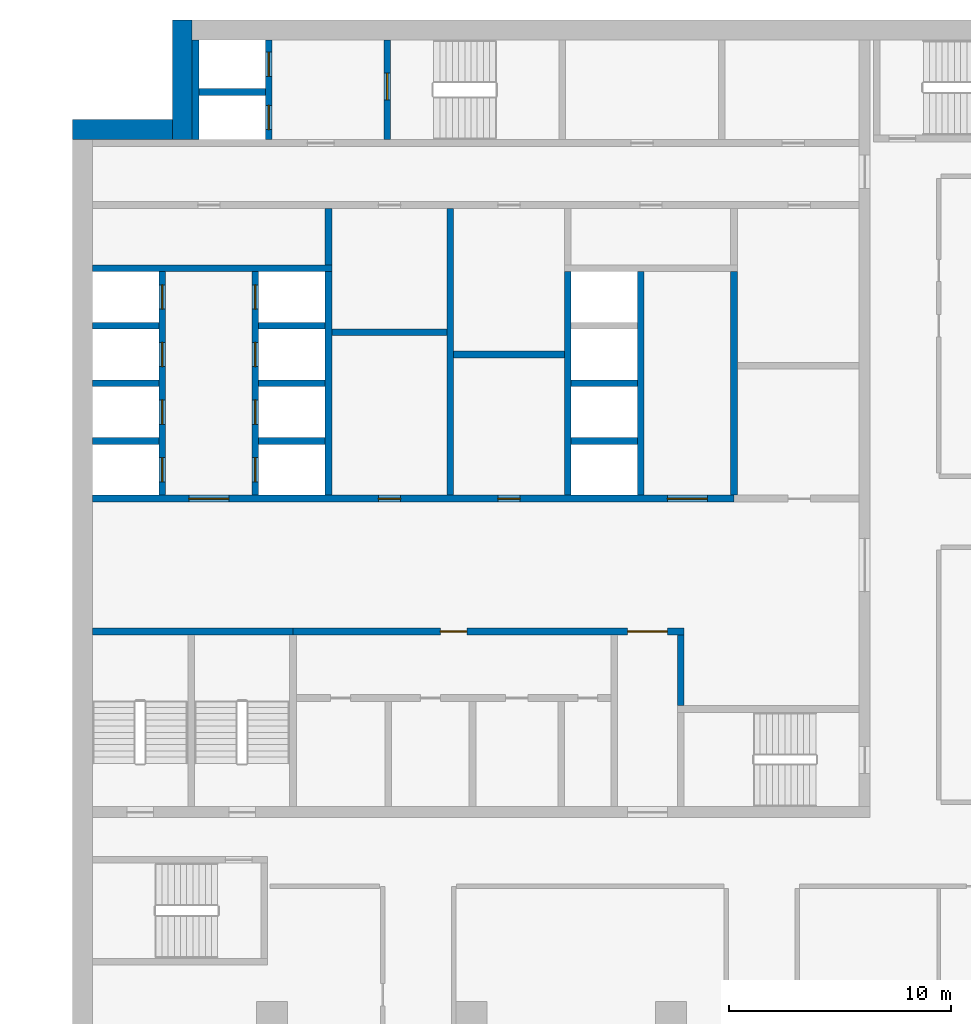
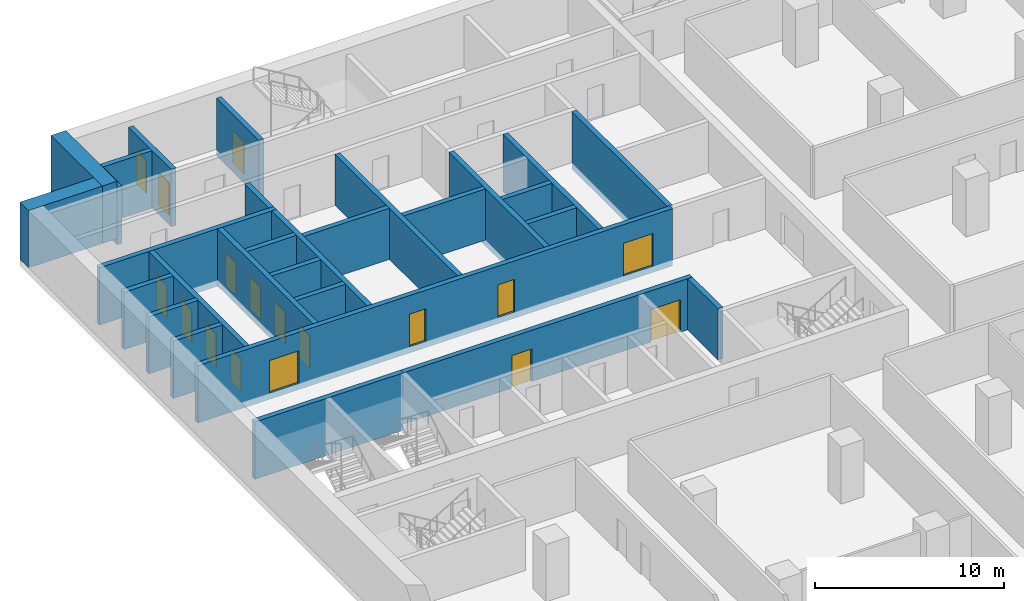
# One storey, part 15 of 29: 29 walls, 17 doors, 17 openings.
"""IFC4 building model written with IfcOpenShell, lengths in metres."""

from ifc_helpers import new_model, si_unit, direction, frame, frame_2d, origin, place, context, subcontext, project, spatial, rectangle, extrude, material, layer, layer_set, type_object, element, fill, save


model = new_model("IFC4")

# Units and contexts
model_context = context("Model", 3, precision=1e-05, world=origin(), true_north=direction((0.0, 1.0)))
body_context = subcontext(model_context, "Body", "Model", "MODEL_VIEW")
ifc_project = project(units=[si_unit("LENGTHUNIT", "METRE"), si_unit("AREAUNIT", "SQUARE_METRE"), si_unit("VOLUMEUNIT", "CUBIC_METRE"), si_unit("PLANEANGLEUNIT", "RADIAN"), si_unit("MASSUNIT", "GRAM", prefix="KILO")], contexts=[model_context])

# Site, building, storey
site_placement = place(None, origin())
site = spatial("IfcSite", under=ifc_project, at=site_placement, CompositionType="ELEMENT")
building_placement = place(site_placement, origin())
building = spatial("IfcBuilding", under=site, at=building_placement, Name="Hunhe Ridgeline Campus", CompositionType="ELEMENT")
storey_placement = place(building_placement, frame((0.0, 0.0, 65.39990234375)))
storey = spatial("IfcBuildingStorey", under=building, at=storey_placement, Name="L15", CompositionType="ELEMENT", Elevation=65.39990234375)

# Wall, openings, doors
ifc_material_1 = material(Name="Masonry concrete blockwork", Category="masonry")
ifc_layer_1 = layer(ifc_material_1, 0.300048828125)
ifc_layer_set_1 = layer_set([ifc_layer_1], Name="Core room partition 300 concrete block")
wall_type_1 = type_object("IfcWallType", Name="Core room partition 300 concrete block", PredefinedType="PARTITIONING", material=ifc_layer_set_1)
wall_1_placement = place(storey_placement, frame((9.949951171875, 71.39990234375, 0.0), z_axis=(0.0, 0.0, 1.0), x_axis=(1.0, 0.0, 0.0)))
wall_1 = element("IfcWall", 1, at=wall_1_placement, inside=storey, type_object=wall_type_1, Name="L15 core partition 13", PredefinedType="PARTITIONING", context=body_context, shape_type="SweptSolid", body=[
    extrude(rectangle(XDim=17.650146484375, YDim=0.300048828125, at=frame_2d((8.8251953125, 0.0))), origin(), (0.0, 0.0, 1.0), 3.300048828125),
])
opening_1_placement = place(wall_1_placement, frame((15.10009765625, 0.0, 0.0)))
opening_1 = element("IfcOpeningElement", 2, at=opening_1_placement, cuts=wall_1, Name="Opening CD7", PredefinedType="OPENING", context=body_context, shape_type="SweptSolid", body=[
    extrude(rectangle(XDim=1.800048828125, YDim=2.10009765625, at=frame_2d((0.89990234375, 1.050048828125))), frame((0.0, 0.14990234375, 0.0), z_axis=(0.0, -1.0, 0.0), x_axis=(1.0, 0.0, 0.0)), (0.0, 0.0, 1.0), 0.300048828125),
])
opening_2_placement = place(wall_1_placement, frame((6.64990234375, 0.0, 0.0)))
opening_2 = element("IfcOpeningElement", 3, at=opening_2_placement, cuts=wall_1, Name="Opening CD37", PredefinedType="OPENING", context=body_context, shape_type="SweptSolid", body=[
    extrude(rectangle(XDim=1.199951171875, YDim=2.10009765625, at=frame_2d((0.60009765625, 1.050048828125))), frame((0.0, 0.14990234375, 0.0), z_axis=(0.0, -1.0, 0.0), x_axis=(1.0, 0.0, 0.0)), (0.0, 0.0, 1.0), 0.300048828125),
])
ifc_material_2 = material(Name="Anodised aluminium and glass", Category="aluminium")
door_type_1 = type_object("IfcDoorType", Name="Glazed double door 1800x2100", OperationType="DOUBLE_DOOR_SINGLE_SWING", PredefinedType="DOOR", material=ifc_material_2)
door_1_placement = place(opening_1_placement, origin())
door_1 = element("IfcDoor", 4, at=door_1_placement, inside=storey, type_object=door_type_1, Name="L15 door VEST-HALL", OperationType="DOUBLE_DOOR_SINGLE_SWING", OverallHeight=2.10009765625, OverallWidth=1.800048828125, PredefinedType="DOOR", context=body_context, shape_type="SweptSolid", body=[
    extrude(rectangle(XDim=1.800048828125, YDim=2.10009765625, at=frame_2d((0.89990234375, 1.050048828125))), frame((0.0, 0.02490234375, 0.0), z_axis=(0.0, -1.0, 0.0), x_axis=(1.0, 0.0, 0.0)), (0.0, 0.0, 1.0), 0.050048828125),
])
fill(opening_1, door_1)
ifc_material_3 = material(Name="Solid core timber door leaf", Category="wood")
door_type_2 = type_object("IfcDoorType", Name="Timber door 1200x2100", OperationType="SINGLE_SWING_LEFT", PredefinedType="DOOR", material=ifc_material_3)
door_2_placement = place(opening_2_placement, origin())
door_2 = element("IfcDoor", 5, at=door_2_placement, inside=storey, type_object=door_type_2, Name="L15 door WCL1-HALL", OperationType="SINGLE_SWING_LEFT", OverallHeight=2.10009765625, OverallWidth=1.199951171875, PredefinedType="DOOR", context=body_context, shape_type="SweptSolid", body=[
    extrude(rectangle(XDim=1.199951171875, YDim=2.10009765625, at=frame_2d((0.60009765625, 1.050048828125))), frame((0.0, 0.02490234375, 0.0), z_axis=(0.0, -1.0, 0.0), x_axis=(1.0, 0.0, 0.0)), (0.0, 0.0, 1.0), 0.050048828125),
])
fill(opening_2, door_2)

# Walls
wall_2_placement = place(storey_placement, frame((17.199951171875, 83.89990234375, 0.0), z_axis=(0.0, 0.0, 1.0), x_axis=(1.0, 0.0, 0.0)))
element("IfcWall", 6, at=wall_2_placement, inside=storey, type_object=wall_type_1, Name="L15 core partition 23", PredefinedType="PARTITIONING", context=body_context, shape_type="SweptSolid", body=[
    extrude(rectangle(XDim=5.0, YDim=0.300048828125, at=frame_2d((2.5, 0.0))), origin(), (0.0, 0.0, 1.0), 3.300048828125),
])
wall_3_placement = place(storey_placement, frame((11.699951171875, 84.89990234375, 0.0), z_axis=(0.0, 0.0, 1.0), x_axis=(1.0, 0.0, 0.0)))
element("IfcWall", 7, at=wall_3_placement, inside=storey, type_object=wall_type_1, Name="L15 core partition 24", PredefinedType="PARTITIONING", context=body_context, shape_type="SweptSolid", body=[
    extrude(rectangle(XDim=5.199951171875, YDim=0.300048828125, at=frame_2d((2.60009765625, 0.0))), origin(), (0.0, 0.0, 1.0), 3.300048828125),
])
wall_4_placement = place(storey_placement, frame((11.550048828125, 87.949951171875, 0.0), z_axis=(0.0, 0.0, 1.0), x_axis=(0.0, 1.0, 0.0)))
element("IfcWall", 8, at=wall_4_placement, inside=storey, type_object=wall_type_1, Name="L15 core partition 46", PredefinedType="PARTITIONING", context=body_context, shape_type="SweptSolid", body=[
    extrude(rectangle(XDim=2.550048828125, YDim=0.300048828125, at=frame_2d((1.27490234375, 0.0))), origin(), (0.0, 0.0, 1.0), 3.300048828125),
])
wall_5_placement = place(storey_placement, frame((17.050048828125, 77.550048828125, 0.0), z_axis=(0.0, 0.0, 1.0), x_axis=(0.0, 1.0, 0.0)))
element("IfcWall", 9, at=wall_5_placement, inside=storey, type_object=wall_type_1, Name="L15 core partition 49", PredefinedType="PARTITIONING", context=body_context, shape_type="SweptSolid", body=[
    extrude(rectangle(XDim=12.949951171875, YDim=0.300048828125, at=frame_2d((6.47509765625, 0.0))), origin(), (0.0, 0.0, 1.0), 3.300048828125),
])
wall_6_placement = place(storey_placement, frame((27.449951171875, 68.050048828125, 0.0), z_axis=(0.0, 0.0, 1.0), x_axis=(0.0, 1.0, 0.0)))
element("IfcWall", 10, at=wall_6_placement, inside=storey, type_object=wall_type_1, Name="L15 core partition 60", PredefinedType="PARTITIONING", context=body_context, shape_type="SweptSolid", body=[
    extrude(rectangle(XDim=3.199951171875, YDim=0.300048828125, at=frame_2d((1.60009765625, 0.0))), origin(), (0.0, 0.0, 1.0), 3.300048828125),
])
ifc_material_4 = material(Name="Concrete C80", Category="concrete")
ifc_layer_2 = layer(ifc_material_4, 0.300048828125)
ifc_layer_set_2 = layer_set([ifc_layer_2], Name="Lobby wall 300 reinforced concrete C80")
wall_type_2 = type_object("IfcWallType", Name="Lobby wall 300 reinforced concrete C80", PredefinedType="SOLIDWALL", material=ifc_layer_set_2)
wall_7_placement = place(storey_placement, frame((29.85009765625, 77.550048828125, -0.39990234375), z_axis=(0.0, 0.0, 1.0), x_axis=(0.0, 1.0, 0.0)))
element("IfcWall", 11, at=wall_7_placement, inside=storey, type_object=wall_type_2, Name="L15 core wall 62", PredefinedType="SOLIDWALL", context=body_context, shape_type="SweptSolid", body=[
    extrude(rectangle(XDim=10.099853515625, YDim=0.300048828125, at=frame_2d((5.0498046875, 0.0))), origin(), (0.0, 0.0, 1.0), 3.699951171875),
])

# Wall, openings, doors
ifc_layer_3 = layer(ifc_material_4, 0.300048828125)
ifc_layer_set_3 = layer_set([ifc_layer_3], Name="Shaft wall 300 reinforced concrete C80")
wall_type_3 = type_object("IfcWallType", Name="Shaft wall 300 reinforced concrete C80", PredefinedType="SOLIDWALL", material=ifc_layer_set_3)
wall_8_placement = place(storey_placement, frame((0.89990234375, 77.39990234375, -0.39990234375), z_axis=(0.0, 0.0, 1.0), x_axis=(1.0, 0.0, 0.0)))
wall_8 = element("IfcWall", 12, at=wall_8_placement, inside=storey, type_object=wall_type_3, Name="L15 core wall 14", PredefinedType="SOLIDWALL", context=body_context, shape_type="SweptSolid", body=[
    extrude(rectangle(XDim=28.9501953125, YDim=0.300048828125, at=frame_2d((14.47509765625, 0.0))), origin(), (0.0, 0.0, 1.0), 3.699951171875),
])
opening_3_placement = place(wall_8_placement, frame((4.35009765625, 0.0, 0.39990234375)))
opening_3 = element("IfcOpeningElement", 13, at=opening_3_placement, cuts=wall_8, Name="Opening CD1", PredefinedType="OPENING", context=body_context, shape_type="SweptSolid", body=[
    extrude(rectangle(XDim=1.800048828125, YDim=2.10009765625, at=frame_2d((0.89990234375, 1.050048828125))), frame((0.0, 0.14990234375, 0.0), z_axis=(0.0, -1.0, 0.0), x_axis=(1.0, 0.0, 0.0)), (0.0, 0.0, 1.0), 0.300048828125),
])
opening_4_placement = place(wall_8_placement, frame((25.949951171875, 0.0, 0.39990234375)))
opening_4 = element("IfcOpeningElement", 14, at=opening_4_placement, cuts=wall_8, Name="Opening CD2", PredefinedType="OPENING", context=body_context, shape_type="SweptSolid", body=[
    extrude(rectangle(XDim=1.800048828125, YDim=2.10009765625, at=frame_2d((0.89990234375, 1.050048828125))), frame((0.0, 0.14990234375, 0.0), z_axis=(0.0, -1.0, 0.0), x_axis=(1.0, 0.0, 0.0)), (0.0, 0.0, 1.0), 0.300048828125),
])
opening_5_placement = place(wall_8_placement, frame((12.89990234375, 0.0, 0.39990234375)))
opening_5 = element("IfcOpeningElement", 15, at=opening_5_placement, cuts=wall_8, Name="Opening CD28", PredefinedType="OPENING", context=body_context, shape_type="SweptSolid", body=[
    extrude(rectangle(XDim=1.0, YDim=2.10009765625, at=frame_2d((0.5, 1.050048828125))), frame((0.0, 0.14990234375, 0.0), z_axis=(0.0, -1.0, 0.0), x_axis=(1.0, 0.0, 0.0)), (0.0, 0.0, 1.0), 0.300048828125),
])
opening_6_placement = place(wall_8_placement, frame((18.300048828125, 0.0, 0.39990234375)))
opening_6 = element("IfcOpeningElement", 16, at=opening_6_placement, cuts=wall_8, Name="Opening CD30", PredefinedType="OPENING", context=body_context, shape_type="SweptSolid", body=[
    extrude(rectangle(XDim=1.0, YDim=2.10009765625, at=frame_2d((0.5, 1.050048828125))), frame((0.0, 0.14990234375, 0.0), z_axis=(0.0, -1.0, 0.0), x_axis=(1.0, 0.0, 0.0)), (0.0, 0.0, 1.0), 0.300048828125),
])
ifc_material_5 = material(Name="Hollow metal fire door leaf")
door_type_3 = type_object("IfcDoorType", Name="Lobby door 1800x2100 FD60", OperationType="SINGLE_SWING_LEFT", PredefinedType="DOOR", material=ifc_material_5)
door_3_placement = place(opening_3_placement, frame((1.800048828125, 0.0, 0.0), z_axis=(0.0, 0.0, 1.0), x_axis=(-1.0, 0.0, 0.0)))
door_3 = element("IfcDoor", 17, at=door_3_placement, inside=storey, type_object=door_type_3, Name="L15 door LOB-LR", OperationType="SINGLE_SWING_RIGHT", OverallHeight=2.10009765625, OverallWidth=1.800048828125, PredefinedType="DOOR", context=body_context, shape_type="SweptSolid", body=[
    extrude(rectangle(XDim=1.800048828125, YDim=2.10009765625, at=frame_2d((0.89990234375, 1.050048828125))), frame((0.0, 0.02490234375, 0.0), z_axis=(0.0, -1.0, 0.0), x_axis=(1.0, 0.0, 0.0)), (0.0, 0.0, 1.0), 0.050048828125),
])
fill(opening_3, door_3)
door_4_placement = place(opening_4_placement, frame((1.800048828125, 0.0, 0.0), z_axis=(0.0, 0.0, 1.0), x_axis=(-1.0, 0.0, 0.0)))
door_4 = element("IfcDoor", 18, at=door_4_placement, inside=storey, type_object=door_type_3, Name="L15 door LOB-SH", OperationType="SINGLE_SWING_LEFT", OverallHeight=2.10009765625, OverallWidth=1.800048828125, PredefinedType="DOOR", context=body_context, shape_type="SweptSolid", body=[
    extrude(rectangle(XDim=1.800048828125, YDim=2.10009765625, at=frame_2d((0.89990234375, 1.050048828125))), frame((0.0, 0.02490234375, 0.0), z_axis=(0.0, -1.0, 0.0), x_axis=(1.0, 0.0, 0.0)), (0.0, 0.0, 1.0), 0.050048828125),
])
fill(opening_4, door_4)
door_type_4 = type_object("IfcDoorType", Name="Timber door 1000x2100", OperationType="SINGLE_SWING_LEFT", PredefinedType="DOOR", material=ifc_material_3)
door_5_placement = place(opening_5_placement, origin())
door_5 = element("IfcDoor", 19, at=door_5_placement, inside=storey, type_object=door_type_4, Name="L15 door VD-HR0", OperationType="SINGLE_SWING_LEFT", OverallHeight=2.10009765625, OverallWidth=1.0, PredefinedType="DOOR", context=body_context, shape_type="SweptSolid", body=[
    extrude(rectangle(XDim=1.0, YDim=2.10009765625, at=frame_2d((0.5, 1.050048828125))), frame((0.0, 0.02490234375, 0.0), z_axis=(0.0, -1.0, 0.0), x_axis=(1.0, 0.0, 0.0)), (0.0, 0.0, 1.0), 0.050048828125),
])
fill(opening_5, door_5)
door_6_placement = place(opening_6_placement, origin())
door_6 = element("IfcDoor", 20, at=door_6_placement, inside=storey, type_object=door_type_4, Name="L15 door VD-HR2", OperationType="SINGLE_SWING_LEFT", OverallHeight=2.10009765625, OverallWidth=1.0, PredefinedType="DOOR", context=body_context, shape_type="SweptSolid", body=[
    extrude(rectangle(XDim=1.0, YDim=2.10009765625, at=frame_2d((0.5, 1.050048828125))), frame((0.0, 0.02490234375, 0.0), z_axis=(0.0, -1.0, 0.0), x_axis=(1.0, 0.0, 0.0)), (0.0, 0.0, 1.0), 0.050048828125),
])
fill(opening_6, door_6)

# Walls
for number, where, z_axis, x_axis, name in (
    (21, (0.89990234375, 80.0, -0.39990234375), (0.0, 0.0, 1.0), (1.0, 0.0, 0.0), "L15 core wall 16"),
    (22, (8.39990234375, 80.0, -0.39990234375), (0.0, 0.0, 1.0), (1.0, 0.0, 0.0), "L15 core wall 17"),
    (23, (22.5, 80.0, -0.39990234375), (0.0, 0.0, 1.0), (1.0, 0.0, 0.0), "L15 core wall 18"),
    (24, (0.89990234375, 82.60009765625, -0.39990234375), (0.0, 0.0, 1.0), (1.0, 0.0, 0.0), "L15 core wall 19"),
    (25, (8.39990234375, 82.60009765625, -0.39990234375), (0.0, 0.0, 1.0), (1.0, 0.0, 0.0), "L15 core wall 20"),
    (26, (22.5, 82.60009765625, -0.39990234375), (0.0, 0.0, 1.0), (1.0, 0.0, 0.0), "L15 core wall 21"),
    (27, (0.89990234375, 85.199951171875, -0.39990234375), (0.0, 0.0, 1.0), (1.0, 0.0, 0.0), "L15 core wall 25"),
    (28, (8.39990234375, 85.199951171875, -0.39990234375), (0.0, 0.0, 1.0), (1.0, 0.0, 0.0), "L15 core wall 26"),
):
    element("IfcWall", number, at=place(storey_placement, frame(where, z_axis=z_axis, x_axis=x_axis)), inside=storey, type_object=wall_type_3, Name=name, PredefinedType="SOLIDWALL", context=body_context, shape_type="SweptSolid", body=[
        extrude(rectangle(XDim=3.0, YDim=0.300048828125, at=frame_2d((1.5, 0.0))), origin(), (0.0, 0.0, 1.0), 3.699951171875),
    ])
wall_9_placement = place(storey_placement, frame((0.89990234375, 87.800048828125, -0.39990234375), z_axis=(0.0, 0.0, 1.0), x_axis=(1.0, 0.0, 0.0)))
element("IfcWall", 29, at=wall_9_placement, inside=storey, type_object=wall_type_3, Name="L15 core wall 28", PredefinedType="SOLIDWALL", context=body_context, shape_type="SweptSolid", body=[
    extrude(rectangle(XDim=10.800048828125, YDim=0.300048828125, at=frame_2d((5.39990234375, 0.0))), origin(), (0.0, 0.0, 1.0), 3.699951171875),
])
wall_10_placement = place(storey_placement, frame((5.699951171875, 95.75, -0.39990234375), z_axis=(0.0, 0.0, 1.0), x_axis=(1.0, 0.0, 0.0)))
element("IfcWall", 30, at=wall_10_placement, inside=storey, type_object=wall_type_3, Name="L15 core wall 36", PredefinedType="SOLIDWALL", context=body_context, shape_type="SweptSolid", body=[
    extrude(rectangle(XDim=3.0, YDim=0.300048828125, at=frame_2d((1.5, 0.0))), origin(), (0.0, 0.0, 1.0), 3.699951171875),
])

# Wall, openings, doors
wall_11_placement = place(storey_placement, frame((4.050048828125, 77.550048828125, -0.39990234375), z_axis=(0.0, 0.0, 1.0), x_axis=(0.0, 1.0, 0.0)))
wall_11 = element("IfcWall", 31, at=wall_11_placement, inside=storey, type_object=wall_type_3, Name="L15 core wall 37", PredefinedType="SOLIDWALL", context=body_context, shape_type="SweptSolid", body=[
    extrude(rectangle(XDim=10.099853515625, YDim=0.300048828125, at=frame_2d((5.0498046875, 0.0))), origin(), (0.0, 0.0, 1.0), 3.699951171875),
])
opening_7_placement = place(wall_11_placement, frame((0.60009765625, 0.0, 0.39990234375)))
opening_7 = element("IfcOpeningElement", 32, at=opening_7_placement, cuts=wall_11, Name="Opening LD-LR1", PredefinedType="OPENING", context=body_context, shape_type="SweptSolid", body=[
    extrude(rectangle(XDim=1.10009765625, YDim=2.10009765625, at=frame_2d((0.550048828125, 1.050048828125))), frame((0.0, 0.14990234375, 0.0), z_axis=(0.0, -1.0, 0.0), x_axis=(1.0, 0.0, 0.0)), (0.0, 0.0, 1.0), 0.300048828125),
])
opening_8_placement = place(wall_11_placement, frame((3.199951171875, 0.0, 0.39990234375)))
opening_8 = element("IfcOpeningElement", 33, at=opening_8_placement, cuts=wall_11, Name="Opening LD-LR2", PredefinedType="OPENING", context=body_context, shape_type="SweptSolid", body=[
    extrude(rectangle(XDim=1.10009765625, YDim=2.10009765625, at=frame_2d((0.550048828125, 1.050048828125))), frame((0.0, 0.14990234375, 0.0), z_axis=(0.0, -1.0, 0.0), x_axis=(1.0, 0.0, 0.0)), (0.0, 0.0, 1.0), 0.300048828125),
])
opening_9_placement = place(wall_11_placement, frame((5.800048828125, 0.0, 0.39990234375)))
opening_9 = element("IfcOpeningElement", 34, at=opening_9_placement, cuts=wall_11, Name="Opening LD-LR3", PredefinedType="OPENING", context=body_context, shape_type="SweptSolid", body=[
    extrude(rectangle(XDim=1.10009765625, YDim=2.10009765625, at=frame_2d((0.550048828125, 1.050048828125))), frame((0.0, 0.14990234375, 0.0), z_axis=(0.0, -1.0, 0.0), x_axis=(1.0, 0.0, 0.0)), (0.0, 0.0, 1.0), 0.300048828125),
])
opening_10_placement = place(wall_11_placement, frame((8.39990234375, 0.0, 0.39990234375)))
opening_10 = element("IfcOpeningElement", 35, at=opening_10_placement, cuts=wall_11, Name="Opening LD-LR4", PredefinedType="OPENING", context=body_context, shape_type="SweptSolid", body=[
    extrude(rectangle(XDim=1.10009765625, YDim=2.10009765625, at=frame_2d((0.550048828125, 1.050048828125))), frame((0.0, 0.14990234375, 0.0), z_axis=(0.0, -1.0, 0.0), x_axis=(1.0, 0.0, 0.0)), (0.0, 0.0, 1.0), 0.300048828125),
])
ifc_material_6 = material(Name="Stainless steel sliding leaves", Category="steel")
door_type_5 = type_object("IfcDoorType", Name="Landing door 1100x2100 FD120", OperationType="SLIDING_TO_LEFT", PredefinedType="DOOR", material=ifc_material_6)
door_7_placement = place(opening_7_placement, origin())
door_7 = element("IfcDoor", 36, at=door_7_placement, inside=storey, type_object=door_type_5, Name="L15 landing door LR1", OperationType="SLIDING_TO_RIGHT", OverallHeight=2.10009765625, OverallWidth=1.10009765625, PredefinedType="DOOR", context=body_context, shape_type="SweptSolid", body=[
    extrude(rectangle(XDim=1.10009765625, YDim=2.10009765625, at=frame_2d((0.550048828125, 1.050048828125))), frame((0.0, 0.02490234375, 0.0), z_axis=(0.0, -1.0, 0.0), x_axis=(1.0, 0.0, 0.0)), (0.0, 0.0, 1.0), 0.050048828125),
])
fill(opening_7, door_7)
door_8_placement = place(opening_8_placement, origin())
door_8 = element("IfcDoor", 37, at=door_8_placement, inside=storey, type_object=door_type_5, Name="L15 landing door LR2", OperationType="SLIDING_TO_LEFT", OverallHeight=2.10009765625, OverallWidth=1.10009765625, PredefinedType="DOOR", context=body_context, shape_type="SweptSolid", body=[
    extrude(rectangle(XDim=1.10009765625, YDim=2.10009765625, at=frame_2d((0.550048828125, 1.050048828125))), frame((0.0, 0.02490234375, 0.0), z_axis=(0.0, -1.0, 0.0), x_axis=(1.0, 0.0, 0.0)), (0.0, 0.0, 1.0), 0.050048828125),
])
fill(opening_8, door_8)
door_9_placement = place(opening_9_placement, origin())
door_9 = element("IfcDoor", 38, at=door_9_placement, inside=storey, type_object=door_type_5, Name="L15 landing door LR3", OperationType="SLIDING_TO_RIGHT", OverallHeight=2.10009765625, OverallWidth=1.10009765625, PredefinedType="DOOR", context=body_context, shape_type="SweptSolid", body=[
    extrude(rectangle(XDim=1.10009765625, YDim=2.10009765625, at=frame_2d((0.550048828125, 1.050048828125))), frame((0.0, 0.02490234375, 0.0), z_axis=(0.0, -1.0, 0.0), x_axis=(1.0, 0.0, 0.0)), (0.0, 0.0, 1.0), 0.050048828125),
])
fill(opening_9, door_9)
door_10_placement = place(opening_10_placement, origin())
door_10 = element("IfcDoor", 39, at=door_10_placement, inside=storey, type_object=door_type_5, Name="L15 landing door LR4", OperationType="SLIDING_TO_LEFT", OverallHeight=2.10009765625, OverallWidth=1.10009765625, PredefinedType="DOOR", context=body_context, shape_type="SweptSolid", body=[
    extrude(rectangle(XDim=1.10009765625, YDim=2.10009765625, at=frame_2d((0.550048828125, 1.050048828125))), frame((0.0, 0.02490234375, 0.0), z_axis=(0.0, -1.0, 0.0), x_axis=(1.0, 0.0, 0.0)), (0.0, 0.0, 1.0), 0.050048828125),
])
fill(opening_10, door_10)

# Wall
wall_12_placement = place(storey_placement, frame((5.550048828125, 93.60009765625, -0.39990234375), z_axis=(0.0, 0.0, 1.0), x_axis=(0.0, 1.0, 0.0)))
element("IfcWall", 40, at=wall_12_placement, inside=storey, type_object=wall_type_3, Name="L15 core wall 39", PredefinedType="SOLIDWALL", context=body_context, shape_type="SweptSolid", body=[
    extrude(rectangle(XDim=4.5, YDim=0.300048828125, at=frame_2d((2.25, 0.0))), origin(), (0.0, 0.0, 1.0), 3.699951171875),
])

# Wall, openings, doors
wall_13_placement = place(storey_placement, frame((8.25, 77.550048828125, -0.39990234375), z_axis=(0.0, 0.0, 1.0), x_axis=(0.0, 1.0, 0.0)))
wall_13 = element("IfcWall", 41, at=wall_13_placement, inside=storey, type_object=wall_type_3, Name="L15 core wall 40", PredefinedType="SOLIDWALL", context=body_context, shape_type="SweptSolid", body=[
    extrude(rectangle(XDim=10.099853515625, YDim=0.300048828125, at=frame_2d((5.0498046875, 0.0))), origin(), (0.0, 0.0, 1.0), 3.699951171875),
])
opening_11_placement = place(wall_13_placement, frame((0.60009765625, 0.0, 0.39990234375)))
opening_11 = element("IfcOpeningElement", 42, at=opening_11_placement, cuts=wall_13, Name="Opening LD-LR5", PredefinedType="OPENING", context=body_context, shape_type="SweptSolid", body=[
    extrude(rectangle(XDim=1.10009765625, YDim=2.10009765625, at=frame_2d((0.550048828125, 1.050048828125))), frame((0.0, 0.14990234375, 0.0), z_axis=(0.0, -1.0, 0.0), x_axis=(1.0, 0.0, 0.0)), (0.0, 0.0, 1.0), 0.300048828125),
])
opening_12_placement = place(wall_13_placement, frame((3.199951171875, 0.0, 0.39990234375)))
opening_12 = element("IfcOpeningElement", 43, at=opening_12_placement, cuts=wall_13, Name="Opening LD-LR6", PredefinedType="OPENING", context=body_context, shape_type="SweptSolid", body=[
    extrude(rectangle(XDim=1.10009765625, YDim=2.10009765625, at=frame_2d((0.550048828125, 1.050048828125))), frame((0.0, 0.14990234375, 0.0), z_axis=(0.0, -1.0, 0.0), x_axis=(1.0, 0.0, 0.0)), (0.0, 0.0, 1.0), 0.300048828125),
])
opening_13_placement = place(wall_13_placement, frame((5.800048828125, 0.0, 0.39990234375)))
opening_13 = element("IfcOpeningElement", 44, at=opening_13_placement, cuts=wall_13, Name="Opening LD-LR7", PredefinedType="OPENING", context=body_context, shape_type="SweptSolid", body=[
    extrude(rectangle(XDim=1.10009765625, YDim=2.10009765625, at=frame_2d((0.550048828125, 1.050048828125))), frame((0.0, 0.14990234375, 0.0), z_axis=(0.0, -1.0, 0.0), x_axis=(1.0, 0.0, 0.0)), (0.0, 0.0, 1.0), 0.300048828125),
])
opening_14_placement = place(wall_13_placement, frame((8.39990234375, 0.0, 0.39990234375)))
opening_14 = element("IfcOpeningElement", 45, at=opening_14_placement, cuts=wall_13, Name="Opening LD-LR8", PredefinedType="OPENING", context=body_context, shape_type="SweptSolid", body=[
    extrude(rectangle(XDim=1.10009765625, YDim=2.10009765625, at=frame_2d((0.550048828125, 1.050048828125))), frame((0.0, 0.14990234375, 0.0), z_axis=(0.0, -1.0, 0.0), x_axis=(1.0, 0.0, 0.0)), (0.0, 0.0, 1.0), 0.300048828125),
])
door_11_placement = place(opening_11_placement, origin())
door_11 = element("IfcDoor", 46, at=door_11_placement, inside=storey, type_object=door_type_5, Name="L15 landing door LR5", OperationType="SLIDING_TO_RIGHT", OverallHeight=2.10009765625, OverallWidth=1.10009765625, PredefinedType="DOOR", context=body_context, shape_type="SweptSolid", body=[
    extrude(rectangle(XDim=1.10009765625, YDim=2.10009765625, at=frame_2d((0.550048828125, 1.050048828125))), frame((0.0, 0.02490234375, 0.0), z_axis=(0.0, -1.0, 0.0), x_axis=(1.0, 0.0, 0.0)), (0.0, 0.0, 1.0), 0.050048828125),
])
fill(opening_11, door_11)
door_12_placement = place(opening_12_placement, origin())
door_12 = element("IfcDoor", 47, at=door_12_placement, inside=storey, type_object=door_type_5, Name="L15 landing door LR6", OperationType="SLIDING_TO_LEFT", OverallHeight=2.10009765625, OverallWidth=1.10009765625, PredefinedType="DOOR", context=body_context, shape_type="SweptSolid", body=[
    extrude(rectangle(XDim=1.10009765625, YDim=2.10009765625, at=frame_2d((0.550048828125, 1.050048828125))), frame((0.0, 0.02490234375, 0.0), z_axis=(0.0, -1.0, 0.0), x_axis=(1.0, 0.0, 0.0)), (0.0, 0.0, 1.0), 0.050048828125),
])
fill(opening_12, door_12)
door_13_placement = place(opening_13_placement, origin())
door_13 = element("IfcDoor", 48, at=door_13_placement, inside=storey, type_object=door_type_5, Name="L15 landing door LR7", OperationType="SLIDING_TO_RIGHT", OverallHeight=2.10009765625, OverallWidth=1.10009765625, PredefinedType="DOOR", context=body_context, shape_type="SweptSolid", body=[
    extrude(rectangle(XDim=1.10009765625, YDim=2.10009765625, at=frame_2d((0.550048828125, 1.050048828125))), frame((0.0, 0.02490234375, 0.0), z_axis=(0.0, -1.0, 0.0), x_axis=(1.0, 0.0, 0.0)), (0.0, 0.0, 1.0), 0.050048828125),
])
fill(opening_13, door_13)
door_14_placement = place(opening_14_placement, origin())
door_14 = element("IfcDoor", 49, at=door_14_placement, inside=storey, type_object=door_type_5, Name="L15 landing door LR8", OperationType="SLIDING_TO_LEFT", OverallHeight=2.10009765625, OverallWidth=1.10009765625, PredefinedType="DOOR", context=body_context, shape_type="SweptSolid", body=[
    extrude(rectangle(XDim=1.10009765625, YDim=2.10009765625, at=frame_2d((0.550048828125, 1.050048828125))), frame((0.0, 0.02490234375, 0.0), z_axis=(0.0, -1.0, 0.0), x_axis=(1.0, 0.0, 0.0)), (0.0, 0.0, 1.0), 0.050048828125),
])
fill(opening_14, door_14)

wall_14_placement = place(storey_placement, frame((8.85009765625, 93.60009765625, -0.39990234375), z_axis=(0.0, 0.0, 1.0), x_axis=(0.0, 1.0, 0.0)))
wall_14 = element("IfcWall", 50, at=wall_14_placement, inside=storey, type_object=wall_type_3, Name="L15 core wall 43", PredefinedType="SOLIDWALL", context=body_context, shape_type="SweptSolid", body=[
    extrude(rectangle(XDim=4.5, YDim=0.300048828125, at=frame_2d((2.25, 0.0))), origin(), (0.0, 0.0, 1.0), 3.699951171875),
])
opening_15_placement = place(wall_14_placement, frame((0.449951171875, 0.0, 0.39990234375)))
opening_15 = element("IfcOpeningElement", 51, at=opening_15_placement, cuts=wall_14, Name="Opening LD-FF1", PredefinedType="OPENING", context=body_context, shape_type="SweptSolid", body=[
    extrude(rectangle(XDim=1.10009765625, YDim=2.10009765625, at=frame_2d((0.550048828125, 1.050048828125))), frame((0.0, 0.14990234375, 0.0), z_axis=(0.0, -1.0, 0.0), x_axis=(1.0, 0.0, 0.0)), (0.0, 0.0, 1.0), 0.300048828125),
])
opening_16_placement = place(wall_14_placement, frame((2.85009765625, 0.0, 0.39990234375)))
opening_16 = element("IfcOpeningElement", 52, at=opening_16_placement, cuts=wall_14, Name="Opening LD-FF2", PredefinedType="OPENING", context=body_context, shape_type="SweptSolid", body=[
    extrude(rectangle(XDim=1.10009765625, YDim=2.10009765625, at=frame_2d((0.550048828125, 1.050048828125))), frame((0.0, 0.14990234375, 0.0), z_axis=(0.0, -1.0, 0.0), x_axis=(1.0, 0.0, 0.0)), (0.0, 0.0, 1.0), 0.300048828125),
])
door_15_placement = place(opening_15_placement, origin())
door_15 = element("IfcDoor", 53, at=door_15_placement, inside=storey, type_object=door_type_5, Name="L15 landing door FF1", OperationType="SLIDING_TO_RIGHT", OverallHeight=2.10009765625, OverallWidth=1.10009765625, PredefinedType="DOOR", context=body_context, shape_type="SweptSolid", body=[
    extrude(rectangle(XDim=1.10009765625, YDim=2.10009765625, at=frame_2d((0.550048828125, 1.050048828125))), frame((0.0, 0.02490234375, 0.0), z_axis=(0.0, -1.0, 0.0), x_axis=(1.0, 0.0, 0.0)), (0.0, 0.0, 1.0), 0.050048828125),
])
fill(opening_15, door_15)
door_16_placement = place(opening_16_placement, origin())
door_16 = element("IfcDoor", 54, at=door_16_placement, inside=storey, type_object=door_type_5, Name="L15 landing door FF2", OperationType="SLIDING_TO_LEFT", OverallHeight=2.10009765625, OverallWidth=1.10009765625, PredefinedType="DOOR", context=body_context, shape_type="SweptSolid", body=[
    extrude(rectangle(XDim=1.10009765625, YDim=2.10009765625, at=frame_2d((0.550048828125, 1.050048828125))), frame((0.0, 0.02490234375, 0.0), z_axis=(0.0, -1.0, 0.0), x_axis=(1.0, 0.0, 0.0)), (0.0, 0.0, 1.0), 0.050048828125),
])
fill(opening_16, door_16)

# Walls
for number, where, z_axis, x_axis, name in (
    (55, (11.550048828125, 77.550048828125, -0.39990234375), (0.0, 0.0, 1.0), (0.0, 1.0, 0.0), "L15 core wall 45"),
    (56, (22.35009765625, 77.550048828125, -0.39990234375), (0.0, 0.0, 1.0), (0.0, 1.0, 0.0), "L15 core wall 54"),
    (57, (25.64990234375, 77.550048828125, -0.39990234375), (0.0, 0.0, 1.0), (0.0, 1.0, 0.0), "L15 core wall 58"),
):
    element("IfcWall", number, at=place(storey_placement, frame(where, z_axis=z_axis, x_axis=x_axis)), inside=storey, type_object=wall_type_3, Name=name, PredefinedType="SOLIDWALL", context=body_context, shape_type="SweptSolid", body=[
        extrude(rectangle(XDim=10.099853515625, YDim=0.300048828125, at=frame_2d((5.0498046875, 0.0))), origin(), (0.0, 0.0, 1.0), 3.699951171875),
    ])
ifc_layer_4 = layer(ifc_material_4, 0.89990234375)
ifc_layer_set_4 = layer_set([ifc_layer_4], Name="Spine wall 900 Concrete C80")
wall_type_4 = type_object("IfcWallType", Name="Spine wall 900 Concrete C80", PredefinedType="SHEAR", material=ifc_layer_set_4)
for number, where, z_axis, x_axis, name in (
    (58, (4.949951171875, 99.0, 0.0), (0.0, 0.0, 1.0), (0.0, -1.0, 0.0), "Spine wall SW1-5 L15"),
    (59, (5.400146484375, 94.050048828125, 0.0), (0.0, 0.0, 1.0), (-1.0, 0.0, 0.0), "Spine wall SW1-6 L15"),
):
    element("IfcWall", number, at=place(storey_placement, frame(where, z_axis=z_axis, x_axis=x_axis)), inside=storey, type_object=wall_type_4, Name=name, PredefinedType="SHEAR", context=body_context, shape_type="SweptSolid", body=[
        extrude(rectangle(XDim=5.400146484375, YDim=0.89990234375, at=frame_2d((2.7001953125, 0.0))), origin(), (0.0, 0.0, 1.0), 3.7001953125),
    ])
ifc_layer_5 = layer(ifc_material_4, 0.300048828125)
ifc_layer_set_5 = layer_set([ifc_layer_5], Name="Stair wall 300 reinforced concrete C80")
wall_type_5 = type_object("IfcWallType", Name="Stair wall 300 reinforced concrete C80", PredefinedType="SOLIDWALL", material=ifc_layer_set_5)
wall_15_placement = place(storey_placement, frame((0.89990234375, 71.39990234375, -0.39990234375), z_axis=(0.0, 0.0, 1.0), x_axis=(1.0, 0.0, 0.0)))
element("IfcWall", 60, at=wall_15_placement, inside=storey, type_object=wall_type_5, Name="L15 core wall 12", PredefinedType="SOLIDWALL", context=body_context, shape_type="SweptSolid", body=[
    extrude(rectangle(XDim=9.050048828125, YDim=0.300048828125, at=frame_2d((4.52490234375, 0.0))), origin(), (0.0, 0.0, 1.0), 3.699951171875),
])

# Wall, opening, door
wall_16_placement = place(storey_placement, frame((14.199951171875, 93.60009765625, -0.39990234375), z_axis=(0.0, 0.0, 1.0), x_axis=(0.0, 1.0, 0.0)))
wall_16 = element("IfcWall", 61, at=wall_16_placement, inside=storey, type_object=wall_type_5, Name="L15 core wall 47", PredefinedType="SOLIDWALL", context=body_context, shape_type="SweptSolid", body=[
    extrude(rectangle(XDim=4.5, YDim=0.300048828125, at=frame_2d((2.25, 0.0))), origin(), (0.0, 0.0, 1.0), 3.699951171875),
])
opening_17_placement = place(wall_16_placement, frame((1.800048828125, 0.0, 0.39990234375)))
opening_17 = element("IfcOpeningElement", 62, at=opening_17_placement, cuts=wall_16, Name="Opening CD16", PredefinedType="OPENING", context=body_context, shape_type="SweptSolid", body=[
    extrude(rectangle(XDim=1.199951171875, YDim=2.10009765625, at=frame_2d((0.60009765625, 1.050048828125))), frame((0.0, 0.14990234375, 0.0), z_axis=(0.0, -1.0, 0.0), x_axis=(1.0, 0.0, 0.0)), (0.0, 0.0, 1.0), 0.300048828125),
])
door_type_6 = type_object("IfcDoorType", Name="Stair door 1200x2100 FD60", OperationType="SINGLE_SWING_LEFT", PredefinedType="DOOR", material=ifc_material_5)
door_17_placement = place(opening_17_placement, origin())
door_17 = element("IfcDoor", 63, at=door_17_placement, inside=storey, type_object=door_type_6, Name="L15 door S1-FF", OperationType="SINGLE_SWING_LEFT", OverallHeight=2.10009765625, OverallWidth=1.199951171875, PredefinedType="DOOR", context=body_context, shape_type="SweptSolid", body=[
    extrude(rectangle(XDim=1.199951171875, YDim=2.10009765625, at=frame_2d((0.60009765625, 1.050048828125))), frame((0.0, 0.02490234375, 0.0), z_axis=(0.0, -1.0, 0.0), x_axis=(1.0, 0.0, 0.0)), (0.0, 0.0, 1.0), 0.050048828125),
])
fill(opening_17, door_17)

save(model, "model.ifc")
